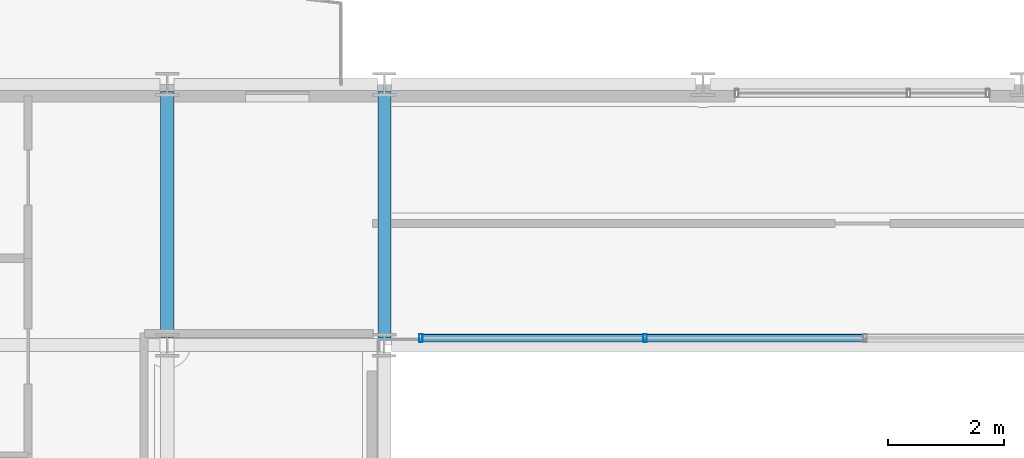
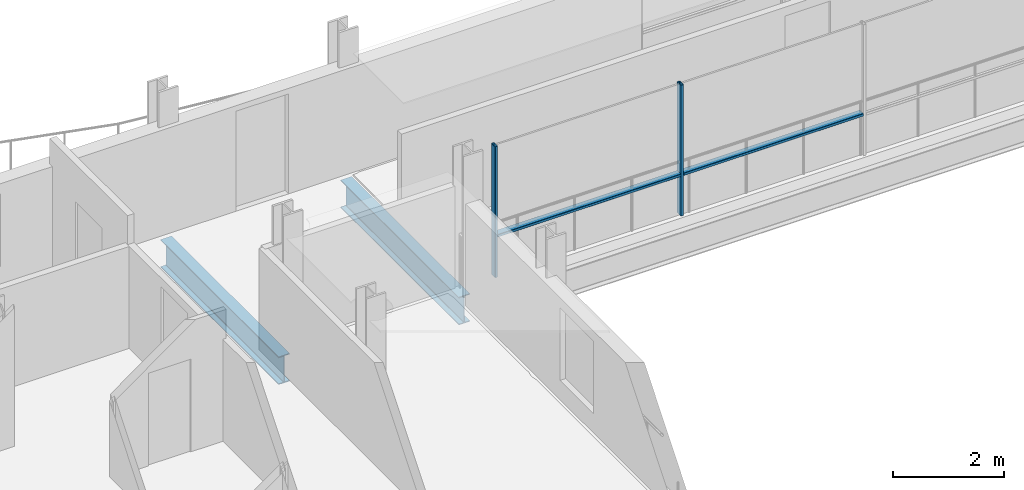
# One storey, part 11 of 41: 4 members, 2 beams, 1 element without a shape of its own.
"""IFC4 building model written with IfcOpenShell, lengths in metres."""

from ifc_helpers import new_model, si_unit, direction, frame, origin, origin_2d, place, context, subcontext, project, spatial, hollow_rectangle, i_section, extrude, material, layer, layer_set, material_profile, profile_set, type_object, element, aggregate, save


model = new_model("IFC4")

# Units and contexts
model_context = context("Model", 3, precision=1e-05, world=origin(), true_north=direction((0.0, 1.0)))
body_context = subcontext(model_context, "Body", "Model", "MODEL_VIEW")
ifc_project = project(units=[si_unit("LENGTHUNIT", "METRE"), si_unit("AREAUNIT", "SQUARE_METRE"), si_unit("VOLUMEUNIT", "CUBIC_METRE"), si_unit("PLANEANGLEUNIT", "RADIAN"), si_unit("MASSUNIT", "GRAM", prefix="KILO")], contexts=[model_context])

# Site, building, storey
site_placement = place(None, origin())
site = spatial("IfcSite", under=ifc_project, at=site_placement, CompositionType="ELEMENT")
building_placement = place(site_placement, origin())
building = spatial("IfcBuilding", under=site, at=building_placement, Name="Brevholm Reach", CompositionType="ELEMENT")
storey_placement = place(building_placement, frame((0.0, 0.0, 138.699951171875)))
storey = spatial("IfcBuildingStorey", under=building, at=storey_placement, Name="L41", CompositionType="ELEMENT", Elevation=138.699951171875)

# Beams
ifc_material_1 = material(Name="Structural Steel S355J2", Category="steel")
ifc_material_profile_1 = material_profile(ifc_material_1, i_section(OverallWidth=0.22900390625, OverallDepth=0.6123046875, WebThickness=0.011962890625, FlangeThickness=0.01953125, FilletRadius=0.0126953125, at=origin_2d()), Name="UKB 610x229x125")
ifc_profile_set_1 = profile_set([ifc_material_profile_1], Name="Structural Steel S355J2")
beam_type = type_object("IfcBeamType", Name="BM-SP610", PredefinedType="SPANDREL", material=ifc_profile_set_1)
for number, where, z_axis, x_axis, name in (
    (1, (18.0, 26.6201171875, -0.526123046875), (0.0, 1.0, 0.0), (-1.0, 0.0, 0.0), "L41 SP-01 Framing Beam"),
    (2, (21.75, 26.6201171875, -0.526123046875), (0.0, 1.0, 0.0), (-1.0, 0.0, 0.0), "L41 SP-01 Framing Beam"),
):
    element("IfcBeam", number, at=place(storey_placement, frame(where, z_axis=z_axis, x_axis=x_axis)), inside=storey, type_object=beam_type, Name=name, PredefinedType="SPANDREL", context=body_context, shape_type="SweptSolid", body=[
        extrude(i_section(OverallWidth=0.22900390625, OverallDepth=0.6123046875, WebThickness=0.011962890625, FlangeThickness=0.01953125, FilletRadius=0.0126953125, at=origin_2d()), origin(), (0.0, 0.0, 1.0), 4.259765625),
    ])

# Curtain wall, members
ifc_material_2 = material(Name="Dark Anodised Aluminium 6063-T6 and Solar-Control Glass", Category="aluminium")
ifc_layer = layer(ifc_material_2, 0.139892578125)
ifc_layer_set = layer_set([ifc_layer], Name="Dark Anodised Aluminium 6063-T6 and Solar-Control Glass")
curtain_wall_type = type_object("IfcCurtainWallType", Name="CW-02", PredefinedType="NOTDEFINED", material=ifc_layer_set)
curtain_wall_placement = place(storey_placement, origin())
curtain_wall = element("IfcCurtainWall", 3, at=curtain_wall_placement, inside=storey, type_object=curtain_wall_type, Name="L41 Curtain Wall CW-02", PredefinedType="NOTDEFINED")
ifc_material_3 = material(Name="Dark Anodised Aluminium 6063-T6", Category="aluminium")
ifc_material_profile_2 = material_profile(ifc_material_3, hollow_rectangle(XDim=0.06005859375, YDim=0.139892578125, WallThickness=0.0048828125, InnerFilletRadius=0.0048828125, OuterFilletRadius=0.010009765625, at=origin_2d()), Name="RHS 140x60x5")
ifc_profile_set_2 = profile_set([ifc_material_profile_2], Name="Dark Anodised Aluminium 6063-T6")
member_type_1 = type_object("IfcMemberType", Name="CWM-140", PredefinedType="MULLION", material=ifc_profile_set_2)
member_1_placement = place(storey_placement, frame((26.25, 26.6201171875, 0.0), z_axis=(0.0, 0.0, 1.0), x_axis=(-1.0, 0.0, 0.0)))
member_1 = element("IfcMember", 4, at=member_1_placement, type_object=member_type_1, Name="CM-140 Mullion 4", PredefinedType="MULLION", context=body_context, shape_type="SweptSolid", body=[
    extrude(hollow_rectangle(XDim=0.06005859375, YDim=0.139892578125, WallThickness=0.0048828125, InnerFilletRadius=0.0048828125, OuterFilletRadius=0.010009765625, at=origin_2d()), origin(), (0.0, 0.0, 1.0), 2.880126953125),
])
member_2_placement = place(storey_placement, frame((22.3798828125, 26.6201171875, 0.0), z_axis=(0.0, 0.0, 1.0), x_axis=(-1.0, 0.0, 0.0)))
member_2 = element("IfcMember", 5, at=member_2_placement, type_object=member_type_1, Name="CM-140 Mullion 5", PredefinedType="MULLION", context=body_context, shape_type="SweptSolid", body=[
    extrude(hollow_rectangle(XDim=0.06005859375, YDim=0.139892578125, WallThickness=0.0048828125, InnerFilletRadius=0.0048828125, OuterFilletRadius=0.010009765625, at=origin_2d()), origin(), (0.0, 0.0, 1.0), 2.880126953125),
])
ifc_material_4 = material(Name="Dark Anodised Aluminium 6063-T6", Category="aluminium")
ifc_material_profile_3 = material_profile(ifc_material_4, hollow_rectangle(XDim=0.06005859375, YDim=0.139892578125, WallThickness=0.0048828125, InnerFilletRadius=0.0048828125, OuterFilletRadius=0.010009765625, at=origin_2d()), Name="RHS 140x60x5")
ifc_profile_set_3 = profile_set([ifc_material_profile_3], Name="Dark Anodised Aluminium 6063-T6")
member_type_2 = type_object("IfcMemberType", Name="CWT-140", PredefinedType="NOTDEFINED", material=ifc_profile_set_3)
member_3_placement = place(storey_placement, frame((30.02001953125, 26.6201171875, 0.900146484375), z_axis=(-1.0, 0.0, 0.0), x_axis=(0.0, 0.0, 1.0)))
member_3 = element("IfcMember", 6, at=member_3_placement, type_object=member_type_2, Name="CT-140 Transom 3.1", ObjectType="TRANSOM", PredefinedType="USERDEFINED", context=body_context, shape_type="SweptSolid", body=[
    extrude(hollow_rectangle(XDim=0.06005859375, YDim=0.139892578125, WallThickness=0.0048828125, InnerFilletRadius=0.0048828125, OuterFilletRadius=0.010009765625, at=origin_2d()), origin(), (0.0, 0.0, 1.0), 3.739990234375),
])
member_4_placement = place(storey_placement, frame((26.219970703125, 26.6201171875, 0.900146484375), z_axis=(-1.0, 0.0, 0.0), x_axis=(0.0, 0.0, 1.0)))
member_4 = element("IfcMember", 7, at=member_4_placement, type_object=member_type_2, Name="CT-140 Transom 4.1", ObjectType="TRANSOM", PredefinedType="USERDEFINED", context=body_context, shape_type="SweptSolid", body=[
    extrude(hollow_rectangle(XDim=0.06005859375, YDim=0.139892578125, WallThickness=0.0048828125, InnerFilletRadius=0.0048828125, OuterFilletRadius=0.010009765625, at=origin_2d()), origin(), (0.0, 0.0, 1.0), 3.81005859375),
])
aggregate(curtain_wall, [member_1, member_2, member_3, member_4])

save(model, "model.ifc")
